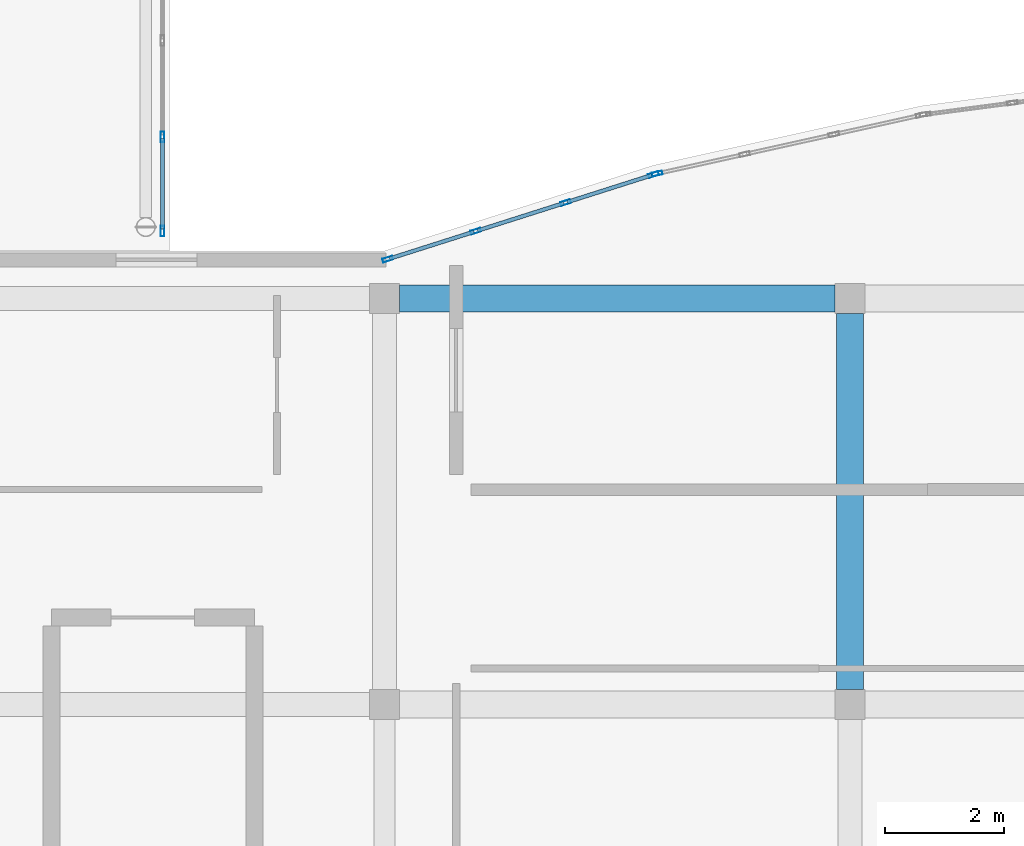
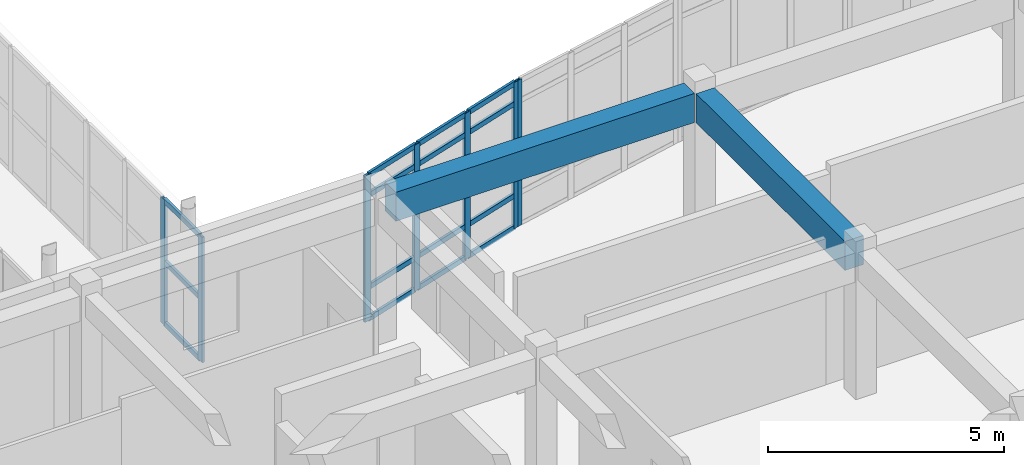
# One storey, part 21 of 52: 22 members, 2 beams, 3 elements without a shape of their own.
"""IFC4 building model written with IfcOpenShell, lengths in metres."""

from ifc_helpers import new_model, si_unit, direction, frame, origin, origin_2d, place, context, subcontext, project, spatial, rectangle, hollow_rectangle, extrude, material, layer, layer_set, material_profile, profile_set, type_object, element, aggregate, save


model = new_model("IFC4")

# Units and contexts
model_context = context("Model", 3, precision=1e-05, world=origin(), true_north=direction((0.0, 1.0)))
body_context = subcontext(model_context, "Body", "Model", "MODEL_VIEW")
ifc_project = project(units=[si_unit("LENGTHUNIT", "METRE"), si_unit("AREAUNIT", "SQUARE_METRE"), si_unit("VOLUMEUNIT", "CUBIC_METRE"), si_unit("PLANEANGLEUNIT", "RADIAN"), si_unit("MASSUNIT", "GRAM", prefix="KILO")], contexts=[model_context])

# Site, building, storey
site_placement = place(None, origin())
site = spatial("IfcSite", under=ifc_project, at=site_placement, CompositionType="ELEMENT")
building_placement = place(site_placement, origin())
building = spatial("IfcBuilding", under=site, at=building_placement, Name="Valcora Specialist Clinic", CompositionType="ELEMENT")
storey_placement = place(building_placement, frame((0.0, 0.0, 17.679931640625)))
storey = spatial("IfcBuildingStorey", under=building, at=storey_placement, Name="L04", CompositionType="ELEMENT", Elevation=17.679931640625)

# Beams
ifc_material_1 = material(Name="Concrete C40/50", Category="concrete")
ifc_material_profile_1 = material_profile(ifc_material_1, rectangle(XDim=0.449951171875, YDim=0.75, at=origin_2d()), Name="RC-BM-450X750")
ifc_profile_set_1 = profile_set([ifc_material_profile_1], Name="Concrete C40/50")
beam_type = type_object("IfcBeamType", Name="TY-BM-RC450X750", PredefinedType="BEAM", material=ifc_profile_set_1)
beam_1_placement = place(storey_placement, frame((69.25, 22.0, 3.400146484375), z_axis=(1.0, 0.0, 0.0), x_axis=(0.0, 1.0, 0.0)))
element("IfcBeam", 1, at=beam_1_placement, inside=storey, type_object=beam_type, Name="Beam BM-L04-1481", PredefinedType="BEAM", context=body_context, shape_type="SweptSolid", body=[
    extrude(rectangle(XDim=0.449951171875, YDim=0.75, at=origin_2d()), origin(), (0.0, 0.0, 1.0), 7.300048828125),
])
beam_2_placement = place(storey_placement, frame((76.800048828125, 15.449951171875, 3.400146484375), z_axis=(0.0, 1.0, 0.0), x_axis=(-1.0, 0.0, 0.0)))
element("IfcBeam", 2, at=beam_2_placement, inside=storey, type_object=beam_type, Name="Beam BM-L04-1491", PredefinedType="BEAM", context=body_context, shape_type="SweptSolid", body=[
    extrude(rectangle(XDim=0.449951171875, YDim=0.75, at=origin_2d()), origin(), (0.0, 0.0, 1.0), 6.300048828125),
])

# Curtain wall, members
ifc_material_2 = material(Name="Anodized Bronze Aluminium 6063-T6", Category="aluminium")
ifc_layer_1 = layer(ifc_material_2, 0.175048828125)
ifc_layer_set_1 = layer_set([ifc_layer_1], Name="Anodized Bronze Aluminium 6063-T6")
curtain_wall_type_1 = type_object("IfcCurtainWallType", Name="TY-CW-ARC40", PredefinedType="NOTDEFINED", material=ifc_layer_set_1)
curtain_wall_1_placement = place(storey_placement, origin())
curtain_wall_1 = element("IfcCurtainWall", 3, at=curtain_wall_1_placement, inside=storey, type_object=curtain_wall_type_1, Name="Curtain wall CW-L04-218", PredefinedType="NOTDEFINED")
ifc_material_profile_2 = material_profile(ifc_material_2, hollow_rectangle(XDim=0.06494140625, YDim=0.175048828125, WallThickness=0.00390625, at=origin_2d()), Name="AL-MUL-65X175")
ifc_profile_set_2 = profile_set([ifc_material_profile_2], Name="Anodized Bronze Aluminium 6063-T6")
member_type_1 = type_object("IfcMemberType", Name="TY-CWM-65X175", PredefinedType="MULLION", material=ifc_profile_set_2)
member_1_placement = place(storey_placement, frame((69.05419921875, 22.659912109375, 0.0), z_axis=(0.0, 0.0, 1.0), x_axis=(-0.303233270958, 0.952916356972, 0.0)))
member_1 = element("IfcMember", 4, at=member_1_placement, type_object=member_type_1, Name="CW-ARC-40 mullion 1", PredefinedType="MULLION", context=body_context, shape_type="SweptSolid", body=[
    extrude(hollow_rectangle(XDim=0.06494140625, YDim=0.175048828125, WallThickness=0.00390625, at=origin_2d()), origin(), (0.0, 0.0, 1.0), 3.775146484375),
])
member_2_placement = place(storey_placement, frame((70.528564453125, 23.12890625, 0.0), z_axis=(0.0, 0.0, 1.0), x_axis=(-0.303233270958, 0.952916356972, 0.0)))
member_2 = element("IfcMember", 5, at=member_2_placement, type_object=member_type_1, Name="CW-ARC-40 mullion 2", PredefinedType="MULLION", context=body_context, shape_type="SweptSolid", body=[
    extrude(hollow_rectangle(XDim=0.06494140625, YDim=0.175048828125, WallThickness=0.00390625, at=origin_2d()), origin(), (0.0, 0.0, 1.0), 3.775146484375),
])
member_3_placement = place(storey_placement, frame((72.033935546875, 23.60791015625, 0.0), z_axis=(0.0, 0.0, 1.0), x_axis=(-0.303233270958, 0.952916356972, 0.0)))
member_3 = element("IfcMember", 6, at=member_3_placement, type_object=member_type_1, Name="CW-ARC-40 mullion 3", PredefinedType="MULLION", context=body_context, shape_type="SweptSolid", body=[
    extrude(hollow_rectangle(XDim=0.06494140625, YDim=0.175048828125, WallThickness=0.00390625, at=origin_2d()), origin(), (0.0, 0.0, 1.0), 3.775146484375),
])
member_4_placement = place(storey_placement, frame((73.508056640625, 24.0771484375, 0.0), z_axis=(0.0, 0.0, 1.0), x_axis=(-0.303233270958, 0.952916356972, 0.0)))
member_4 = element("IfcMember", 7, at=member_4_placement, type_object=member_type_1, Name="CW-ARC-40 mullion 4", PredefinedType="MULLION", context=body_context, shape_type="SweptSolid", body=[
    extrude(hollow_rectangle(XDim=0.06494140625, YDim=0.175048828125, WallThickness=0.00390625, at=origin_2d()), origin(), (0.0, 0.0, 1.0), 3.775146484375),
])

# Curtain wall, member
curtain_wall_2_placement = place(storey_placement, origin())
curtain_wall_2 = element("IfcCurtainWall", 8, at=curtain_wall_2_placement, inside=storey, type_object=curtain_wall_type_1, Name="Curtain wall CW-L04-219", PredefinedType="NOTDEFINED")
member_5_placement = place(storey_placement, frame((73.57080078125, 24.093994140625, 0.0), z_axis=(0.0, 0.0, 1.0), x_axis=(-0.216518052372, 0.976278614432, 0.0)))
member_5 = element("IfcMember", 9, at=member_5_placement, type_object=member_type_1, Name="CW-ARC-40 mullion 1", PredefinedType="MULLION", context=body_context, shape_type="SweptSolid", body=[
    extrude(hollow_rectangle(XDim=0.06494140625, YDim=0.175048828125, WallThickness=0.00390625, at=origin_2d()), origin(), (0.0, 0.0, 1.0), 3.775146484375),
])
aggregate(curtain_wall_2, [member_5])

# Curtain wall, members
ifc_layer_2 = layer(ifc_material_2, 0.175048828125)
ifc_layer_set_2 = layer_set([ifc_layer_2], Name="Anodized Bronze Aluminium 6063-T6")
curtain_wall_type_2 = type_object("IfcCurtainWallType", Name="TY-CW-BRG14", PredefinedType="NOTDEFINED", material=ifc_layer_set_2)
curtain_wall_3_placement = place(storey_placement, origin())
curtain_wall_3 = element("IfcCurtainWall", 10, at=curtain_wall_3_placement, inside=storey, type_object=curtain_wall_type_2, Name="Curtain wall CW-L04-276", PredefinedType="NOTDEFINED")
member_6_placement = place(storey_placement, frame((65.280029296875, 23.132568359375, 0.0), z_axis=(0.0, 0.0, 1.0), x_axis=(-1.0, 0.0, 0.0)))
member_6 = element("IfcMember", 11, at=member_6_placement, type_object=member_type_1, Name="CW-BRG-14 mullion 1", PredefinedType="MULLION", context=body_context, shape_type="SweptSolid", body=[
    extrude(hollow_rectangle(XDim=0.06494140625, YDim=0.175048828125, WallThickness=0.00390625, at=origin_2d()), origin(), (0.0, 0.0, 1.0), 3.239990234375),
])
member_7_placement = place(storey_placement, frame((65.280029296875, 24.711181640625, 0.0), z_axis=(0.0, 0.0, 1.0), x_axis=(-1.0, 0.0, 0.0)))
member_7 = element("IfcMember", 12, at=member_7_placement, type_object=member_type_1, Name="CW-BRG-14 mullion 2", PredefinedType="MULLION", context=body_context, shape_type="SweptSolid", body=[
    extrude(hollow_rectangle(XDim=0.06494140625, YDim=0.175048828125, WallThickness=0.00390625, at=origin_2d()), origin(), (0.0, 0.0, 1.0), 3.239990234375),
])

# Member
ifc_material_profile_3 = material_profile(ifc_material_2, hollow_rectangle(XDim=0.06494140625, YDim=0.1298828125, WallThickness=0.00390625, at=origin_2d()), Name="AL-TRN-65X130")
ifc_profile_set_3 = profile_set([ifc_material_profile_3], Name="Anodized Bronze Aluminium 6063-T6")
member_type_2 = type_object("IfcMemberType", Name="TY-CWT-65X130", PredefinedType="USERDEFINED", material=ifc_profile_set_3)
member_8_placement = place(storey_placement, frame((69.085205078125, 22.669677734375, 0.032470703125), z_axis=(0.952910635624, 0.303251249816, 0.0), x_axis=(-0.303251249816, 0.952910635624, 0.0)))
member_8 = element("IfcMember", 13, at=member_8_placement, type_object=member_type_2, Name="CW-ARC-40 transom 1.1", ObjectType="TRANSOM", PredefinedType="USERDEFINED", context=body_context, shape_type="SweptSolid", body=[
    extrude(hollow_rectangle(XDim=0.06494140625, YDim=0.1298828125, WallThickness=0.00390625, at=origin_2d()), origin(), (0.0, 0.0, 1.0), 1.482177734375),
])

member_9_placement = place(storey_placement, frame((69.085205078125, 22.669677734375, 0.85009765625), z_axis=(0.952910635624, 0.303251249816, 0.0), x_axis=(-0.303251249816, 0.952910635624, 0.0)))
member_9 = element("IfcMember", 14, at=member_9_placement, type_object=member_type_2, Name="CW-ARC-40 transom 1.2", ObjectType="TRANSOM", PredefinedType="USERDEFINED", context=body_context, shape_type="SweptSolid", body=[
    extrude(hollow_rectangle(XDim=0.06494140625, YDim=0.1298828125, WallThickness=0.00390625, at=origin_2d()), origin(), (0.0, 0.0, 1.0), 1.482177734375),
])

member_10_placement = place(storey_placement, frame((69.085205078125, 22.669677734375, 3.22509765625), z_axis=(0.952910635624, 0.303251249816, 0.0), x_axis=(-0.303251249816, 0.952910635624, 0.0)))
member_10 = element("IfcMember", 15, at=member_10_placement, type_object=member_type_2, Name="CW-ARC-40 transom 1.3", ObjectType="TRANSOM", PredefinedType="USERDEFINED", context=body_context, shape_type="SweptSolid", body=[
    extrude(hollow_rectangle(XDim=0.06494140625, YDim=0.1298828125, WallThickness=0.00390625, at=origin_2d()), origin(), (0.0, 0.0, 1.0), 1.482177734375),
])

member_11_placement = place(storey_placement, frame((69.085205078125, 22.669677734375, 3.74267578125), z_axis=(0.952910635624, 0.303251249816, 0.0), x_axis=(-0.303251249816, 0.952910635624, 0.0)))
member_11 = element("IfcMember", 16, at=member_11_placement, type_object=member_type_2, Name="CW-ARC-40 transom 1.4", ObjectType="TRANSOM", PredefinedType="USERDEFINED", context=body_context, shape_type="SweptSolid", body=[
    extrude(hollow_rectangle(XDim=0.06494140625, YDim=0.1298828125, WallThickness=0.00390625, at=origin_2d()), origin(), (0.0, 0.0, 1.0), 1.482177734375),
])

member_12_placement = place(storey_placement, frame((70.5595703125, 23.138916015625, 0.032470703125), z_axis=(0.952930013692, 0.303190351109, 0.0), x_axis=(-0.303190351109, 0.952930013692, 0.0)))
member_12 = element("IfcMember", 17, at=member_12_placement, type_object=member_type_2, Name="CW-ARC-40 transom 2.1", ObjectType="TRANSOM", PredefinedType="USERDEFINED", context=body_context, shape_type="SweptSolid", body=[
    extrude(hollow_rectangle(XDim=0.06494140625, YDim=0.1298828125, WallThickness=0.00390625, at=origin_2d()), origin(), (0.0, 0.0, 1.0), 1.5146484375),
])

member_13_placement = place(storey_placement, frame((70.5595703125, 23.138916015625, 0.85009765625), z_axis=(0.952930013692, 0.303190351109, 0.0), x_axis=(-0.303190351109, 0.952930013692, 0.0)))
member_13 = element("IfcMember", 18, at=member_13_placement, type_object=member_type_2, Name="CW-ARC-40 transom 2.2", ObjectType="TRANSOM", PredefinedType="USERDEFINED", context=body_context, shape_type="SweptSolid", body=[
    extrude(hollow_rectangle(XDim=0.06494140625, YDim=0.1298828125, WallThickness=0.00390625, at=origin_2d()), origin(), (0.0, 0.0, 1.0), 1.5146484375),
])

member_14_placement = place(storey_placement, frame((70.5595703125, 23.138916015625, 3.22509765625), z_axis=(0.952930013692, 0.303190351109, 0.0), x_axis=(-0.303190351109, 0.952930013692, 0.0)))
member_14 = element("IfcMember", 19, at=member_14_placement, type_object=member_type_2, Name="CW-ARC-40 transom 2.3", ObjectType="TRANSOM", PredefinedType="USERDEFINED", context=body_context, shape_type="SweptSolid", body=[
    extrude(hollow_rectangle(XDim=0.06494140625, YDim=0.1298828125, WallThickness=0.00390625, at=origin_2d()), origin(), (0.0, 0.0, 1.0), 1.5146484375),
])

member_15_placement = place(storey_placement, frame((70.5595703125, 23.138916015625, 3.74267578125), z_axis=(0.952930013692, 0.303190351109, 0.0), x_axis=(-0.303190351109, 0.952930013692, 0.0)))
member_15 = element("IfcMember", 20, at=member_15_placement, type_object=member_type_2, Name="CW-ARC-40 transom 2.4", ObjectType="TRANSOM", PredefinedType="USERDEFINED", context=body_context, shape_type="SweptSolid", body=[
    extrude(hollow_rectangle(XDim=0.06494140625, YDim=0.1298828125, WallThickness=0.00390625, at=origin_2d()), origin(), (0.0, 0.0, 1.0), 1.5146484375),
])

member_16_placement = place(storey_placement, frame((72.064697265625, 23.617919921875, 0.032470703125), z_axis=(0.952910635624, 0.303251249816, 0.0), x_axis=(-0.303251249816, 0.952910635624, 0.0)))
member_16 = element("IfcMember", 21, at=member_16_placement, type_object=member_type_2, Name="CW-ARC-40 transom 3.1", ObjectType="TRANSOM", PredefinedType="USERDEFINED", context=body_context, shape_type="SweptSolid", body=[
    extrude(hollow_rectangle(XDim=0.06494140625, YDim=0.1298828125, WallThickness=0.00390625, at=origin_2d()), origin(), (0.0, 0.0, 1.0), 1.482177734375),
])

member_17_placement = place(storey_placement, frame((72.064697265625, 23.617919921875, 0.85009765625), z_axis=(0.952910635624, 0.303251249816, 0.0), x_axis=(-0.303251249816, 0.952910635624, 0.0)))
member_17 = element("IfcMember", 22, at=member_17_placement, type_object=member_type_2, Name="CW-ARC-40 transom 3.2", ObjectType="TRANSOM", PredefinedType="USERDEFINED", context=body_context, shape_type="SweptSolid", body=[
    extrude(hollow_rectangle(XDim=0.06494140625, YDim=0.1298828125, WallThickness=0.00390625, at=origin_2d()), origin(), (0.0, 0.0, 1.0), 1.482177734375),
])

member_18_placement = place(storey_placement, frame((72.064697265625, 23.617919921875, 3.22509765625), z_axis=(0.952910635624, 0.303251249816, 0.0), x_axis=(-0.303251249816, 0.952910635624, 0.0)))
member_18 = element("IfcMember", 23, at=member_18_placement, type_object=member_type_2, Name="CW-ARC-40 transom 3.3", ObjectType="TRANSOM", PredefinedType="USERDEFINED", context=body_context, shape_type="SweptSolid", body=[
    extrude(hollow_rectangle(XDim=0.06494140625, YDim=0.1298828125, WallThickness=0.00390625, at=origin_2d()), origin(), (0.0, 0.0, 1.0), 1.482177734375),
])

member_19_placement = place(storey_placement, frame((72.064697265625, 23.617919921875, 3.74267578125), z_axis=(0.952910635624, 0.303251249816, 0.0), x_axis=(-0.303251249816, 0.952910635624, 0.0)))
member_19 = element("IfcMember", 24, at=member_19_placement, type_object=member_type_2, Name="CW-ARC-40 transom 3.4", ObjectType="TRANSOM", PredefinedType="USERDEFINED", context=body_context, shape_type="SweptSolid", body=[
    extrude(hollow_rectangle(XDim=0.06494140625, YDim=0.1298828125, WallThickness=0.00390625, at=origin_2d()), origin(), (0.0, 0.0, 1.0), 1.482177734375),
])

aggregate(curtain_wall_1, [member_1, member_2, member_3, member_4, member_8, member_9, member_10, member_11, member_12, member_13, member_14, member_15, member_16, member_17, member_18, member_19])

member_20_placement = place(storey_placement, frame((65.280029296875, 23.1650390625, 0.032470703125), z_axis=(0.0, 1.0, 0.0), x_axis=(-1.0, 0.0, 0.0)))
member_20 = element("IfcMember", 25, at=member_20_placement, type_object=member_type_2, Name="CW-BRG-14 transom 1.1", ObjectType="TRANSOM", PredefinedType="USERDEFINED", context=body_context, shape_type="SweptSolid", body=[
    extrude(hollow_rectangle(XDim=0.06494140625, YDim=0.1298828125, WallThickness=0.00390625, at=origin_2d()), origin(), (0.0, 0.0, 1.0), 1.513671875),
])

member_21_placement = place(storey_placement, frame((65.280029296875, 23.1650390625, 1.6201171875), z_axis=(0.0, 1.0, 0.0), x_axis=(-1.0, 0.0, 0.0)))
member_21 = element("IfcMember", 26, at=member_21_placement, type_object=member_type_2, Name="CW-BRG-14 transom 1.2", ObjectType="TRANSOM", PredefinedType="USERDEFINED", context=body_context, shape_type="SweptSolid", body=[
    extrude(hollow_rectangle(XDim=0.06494140625, YDim=0.1298828125, WallThickness=0.00390625, at=origin_2d()), origin(), (0.0, 0.0, 1.0), 1.513671875),
])

member_22_placement = place(storey_placement, frame((65.280029296875, 23.1650390625, 3.20751953125), z_axis=(0.0, 1.0, 0.0), x_axis=(-1.0, 0.0, 0.0)))
member_22 = element("IfcMember", 27, at=member_22_placement, type_object=member_type_2, Name="CW-BRG-14 transom 1.3", ObjectType="TRANSOM", PredefinedType="USERDEFINED", context=body_context, shape_type="SweptSolid", body=[
    extrude(hollow_rectangle(XDim=0.06494140625, YDim=0.1298828125, WallThickness=0.00390625, at=origin_2d()), origin(), (0.0, 0.0, 1.0), 1.513671875),
])

aggregate(curtain_wall_3, [member_6, member_7, member_20, member_21, member_22])

save(model, "model.ifc")
